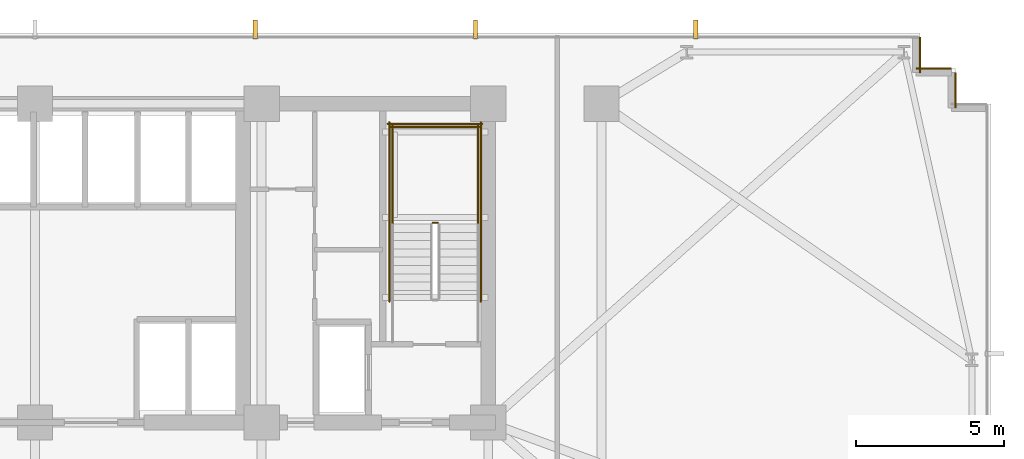
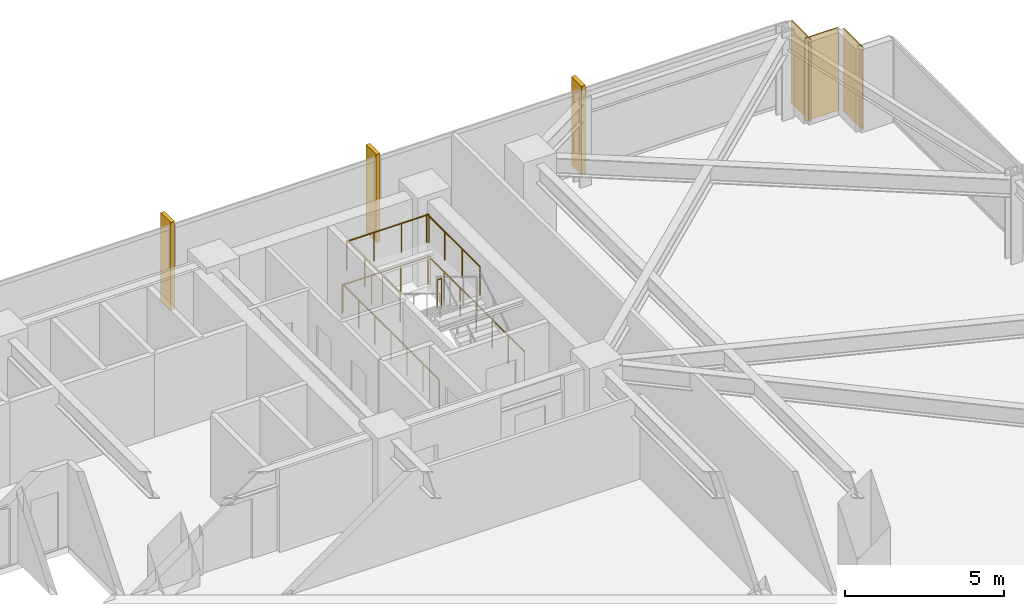
# One storey, part 31 of 32: 7 railings, 3 coverings, 3 shading devices.
"""IFC4 building model written with IfcOpenShell, lengths in metres."""

from ifc_helpers import new_model, si_unit, direction, frame, frame_2d, origin, origin_2d, place, context, subcontext, project, spatial, rectangle, circle, extrude, material, layer, layer_set, type_object, element, save


model = new_model("IFC4")

# Units and contexts
model_context = context("Model", 3, precision=1e-05, world=origin(), true_north=direction((0.0, 1.0)))
body_context = subcontext(model_context, "Body", "Model", "MODEL_VIEW")
ifc_project = project(units=[si_unit("LENGTHUNIT", "METRE"), si_unit("AREAUNIT", "SQUARE_METRE"), si_unit("VOLUMEUNIT", "CUBIC_METRE"), si_unit("PLANEANGLEUNIT", "RADIAN"), si_unit("MASSUNIT", "GRAM", prefix="KILO")], contexts=[model_context])

# Site, building, storey
site_placement = place(None, origin())
site = spatial("IfcSite", under=ifc_project, at=site_placement, CompositionType="ELEMENT")
building_placement = place(site_placement, origin())
building = spatial("IfcBuilding", under=site, at=building_placement, Name="Yelkora Congress Tower", CompositionType="ELEMENT")
storey_placement = place(building_placement, frame((0.0, 0.0, 44.0)))
storey = spatial("IfcBuildingStorey", under=building, at=storey_placement, Name="L10", CompositionType="ELEMENT", Elevation=44.0)

# Coverings
ifc_material_1 = material(Name="Anatolian bush-hammered limestone", Category="masonry")
ifc_layer_1 = layer(ifc_material_1, 0.0400390625)
ifc_layer_set_1 = layer_set([ifc_layer_1], Name="Anatolian bush-hammered limestone")
covering_type = type_object("IfcCoveringType", Name="COV-CLAD-SPANDREL-40", PredefinedType="CLADDING", material=ifc_layer_set_1)
for number, where, z_axis, x_axis, name in (
    (1, (68.39501953125, 48.4599609375, 0.0), (0.0, 0.0, 1.0), (0.0, -1.0, 0.0), "L10 Anatolian Limestone Cladding EW-L10-SR11"),
    (2, (68.260009765625, 47.39501953125, 0.0), (0.0, 0.0, 1.0), (1.0, 0.0, 0.0), "L10 Anatolian Limestone Cladding EW-L10-SR12"),
    (3, (69.594970703125, 47.260009765625, 0.0), (0.0, 0.0, 1.0), (0.0, -1.0, 0.0), "L10 Anatolian Limestone Cladding EW-L10-SR13"),
):
    element("IfcCovering", number, at=place(storey_placement, frame(where, z_axis=z_axis, x_axis=x_axis)), inside=storey, type_object=covering_type, Name=name, PredefinedType="CLADDING", context=body_context, shape_type="SweptSolid", body=[
        extrude(rectangle(XDim=1.199951171875, YDim=0.0400390625, at=frame_2d((0.60009765625, 0.0))), origin(), (0.0, 0.0, 1.0), 3.179931640625),
    ])

# Railings
ifc_material_2 = material(Name="Painted galvanised steel stair well guard with vertical infill", Category="steel")
ifc_layer_2 = layer(ifc_material_2, 0.06005859375)
ifc_layer_set_2 = layer_set([ifc_layer_2], Name="Painted galvanised steel stair well guard with vertical infill")
railing_type = type_object("IfcRailingType", Name="RAIL-STAIR-GUARD-1120", PredefinedType="GUARDRAIL", material=ifc_layer_set_2)
railing_1_placement = place(storey_placement, frame((52.0400390625, 42.169921875, 1.699951171875)))
element("IfcRailing", 4, at=railing_1_placement, inside=storey, type_object=railing_type, Name="ST-02 L10 Stair Well Guardrail 2", PredefinedType="GUARDRAIL", context=body_context, shape_type="SweptSolid", body=[
    extrude(circle(Radius=0.02392578125, at=origin_2d()), frame((0.0, 0.0, 1.09619140625), z_axis=(-1.0, 0.0, 0.0), x_axis=(0.0, -1.0, 0.0)), (0.0, 0.0, 1.0), 0.16015625),
    extrude(circle(Radius=0.02099609375, at=origin_2d()), origin(), (0.0, 0.0, 1.0), 1.072021484375),
    extrude(circle(Radius=0.02099609375, at=origin_2d()), frame((-0.16015625, 0.0, 0.0)), (0.0, 0.0, 1.0), 1.072021484375),
])
for number, where, name in (
    (5, (53.409912109375, 42.1201171875, 1.699951171875), "ST-02 L10 Stair Well Guardrail 3"),
    (6, (50.510009765625, 42.1201171875, 1.699951171875), "ST-02 L10 Stair Well Guardrail 4"),
):
    element("IfcRailing", number, at=place(storey_placement, frame(where)), inside=storey, type_object=railing_type, Name=name, PredefinedType="GUARDRAIL", context=body_context, shape_type="SweptSolid", body=[
        extrude(circle(Radius=0.02392578125, at=origin_2d()), frame((0.0, 0.0, 1.09619140625), z_axis=(0.0, 1.0, 0.0), x_axis=(-1.0, 0.0, 0.0)), (0.0, 0.0, 1.0), 3.349853515625),
        extrude(circle(Radius=0.02099609375, at=origin_2d()), origin(), (0.0, 0.0, 1.0), 1.072021484375),
        extrude(circle(Radius=0.02099609375, at=origin_2d()), frame((0.0, 1.11669921875, 0.0)), (0.0, 0.0, 1.0), 1.072021484375),
        extrude(circle(Radius=0.02099609375, at=origin_2d()), frame((0.0, 2.233154296875, 0.0)), (0.0, 0.0, 1.0), 1.072021484375),
        extrude(circle(Radius=0.02099609375, at=origin_2d()), frame((0.0, 3.349853515625, 0.0)), (0.0, 0.0, 1.0), 1.072021484375),
    ])
railing_2_placement = place(storey_placement, frame((53.4599609375, 45.419921875, 1.699951171875)))
element("IfcRailing", 7, at=railing_2_placement, inside=storey, type_object=railing_type, Name="ST-02 L10 Stair Well Guardrail 5", PredefinedType="GUARDRAIL", context=body_context, shape_type="SweptSolid", body=[
    extrude(circle(Radius=0.02392578125, at=origin_2d()), frame((0.0, 0.0, 1.09619140625), z_axis=(-1.0, 0.0, 0.0), x_axis=(0.0, -1.0, 0.0)), (0.0, 0.0, 1.0), 3.0),
    extrude(circle(Radius=0.02099609375, at=origin_2d()), origin(), (0.0, 0.0, 1.0), 1.072021484375),
    extrude(circle(Radius=0.02099609375, at=origin_2d()), frame((-1.0, 0.0, 0.0)), (0.0, 0.0, 1.0), 1.072021484375),
    extrude(circle(Radius=0.02099609375, at=origin_2d()), frame((-2.0, 0.0, 0.0)), (0.0, 0.0, 1.0), 1.072021484375),
    extrude(circle(Radius=0.02099609375, at=origin_2d()), frame((-3.0, 0.0, 0.0)), (0.0, 0.0, 1.0), 1.072021484375),
])
for number, where, name in (
    (8, (53.510009765625, 39.5, 0.0), "ST-02 L10 Stair Well Guardrail 10"),
    (9, (50.409912109375, 39.5, 0.0), "ST-02 L10 Stair Well Guardrail 11"),
):
    element("IfcRailing", number, at=place(storey_placement, frame(where)), inside=storey, type_object=railing_type, Name=name, PredefinedType="GUARDRAIL", context=body_context, shape_type="SweptSolid", body=[
        extrude(circle(Radius=0.02392578125, at=origin_2d()), frame((0.0, 0.0, 1.09619140625), z_axis=(0.0, 1.0, 0.0), x_axis=(-1.0, 0.0, 0.0)), (0.0, 0.0, 1.0), 6.070068359375),
        extrude(circle(Radius=0.02099609375, at=origin_2d()), origin(), (0.0, 0.0, 1.0), 1.072021484375),
        extrude(circle(Radius=0.02099609375, at=origin_2d()), frame((0.0, 1.01171875, 0.0)), (0.0, 0.0, 1.0), 1.072021484375),
        extrude(circle(Radius=0.02099609375, at=origin_2d()), frame((0.0, 2.0234375, 0.0)), (0.0, 0.0, 1.0), 1.072021484375),
        extrude(circle(Radius=0.02099609375, at=origin_2d()), frame((0.0, 3.03515625, 0.0)), (0.0, 0.0, 1.0), 1.072021484375),
        extrude(circle(Radius=0.02099609375, at=origin_2d()), frame((0.0, 4.046630859375, 0.0)), (0.0, 0.0, 1.0), 1.072021484375),
        extrude(circle(Radius=0.02099609375, at=origin_2d()), frame((0.0, 5.058349609375, 0.0)), (0.0, 0.0, 1.0), 1.072021484375),
        extrude(circle(Radius=0.02099609375, at=origin_2d()), frame((0.0, 6.070068359375, 0.0)), (0.0, 0.0, 1.0), 1.072021484375),
    ])
railing_3_placement = place(storey_placement, frame((53.56005859375, 45.52001953125, 0.0)))
element("IfcRailing", 10, at=railing_3_placement, inside=storey, type_object=railing_type, Name="ST-02 L10 Stair Well Guardrail 12", PredefinedType="GUARDRAIL", context=body_context, shape_type="SweptSolid", body=[
    extrude(circle(Radius=0.02392578125, at=origin_2d()), frame((0.0, 0.0, 1.09619140625), z_axis=(-1.0, 0.0, 0.0), x_axis=(0.0, -1.0, 0.0)), (0.0, 0.0, 1.0), 3.199951171875),
    extrude(circle(Radius=0.02099609375, at=origin_2d()), origin(), (0.0, 0.0, 1.0), 1.072021484375),
    extrude(circle(Radius=0.02099609375, at=origin_2d()), frame((-1.066650390625, 0.0, 0.0)), (0.0, 0.0, 1.0), 1.072021484375),
    extrude(circle(Radius=0.02099609375, at=origin_2d()), frame((-2.13330078125, 0.0, 0.0)), (0.0, 0.0, 1.0), 1.072021484375),
    extrude(circle(Radius=0.02099609375, at=origin_2d()), frame((-3.199951171875, 0.0, 0.0)), (0.0, 0.0, 1.0), 1.072021484375),
])

# Shading devices
ifc_material_3 = material(Name="Champagne anodised aluminium", Category="aluminium")
ifc_layer_3 = layer(ifc_material_3, 3.39990234375)
ifc_layer_set_3 = layer_set([ifc_layer_3], Name="Champagne anodised aluminium")
shading_device_type = type_object("IfcShadingDeviceType", Name="SHD-FIN-ALU-640", PredefinedType="USERDEFINED", material=ifc_layer_set_3)
for number, where, z_axis, x_axis, name in (
    (11, (45.864990234375, 48.719970703125, -0.030029296875), (0.0, 0.0, 1.0), (1.0, 0.0, 0.0), "L10 Vertical Anodised Solar Fin 10-5"),
    (12, (53.330078125, 48.719970703125, -0.030029296875), (0.0, 0.0, 1.0), (1.0, 0.0, 0.0), "L10 Vertical Anodised Solar Fin 10-6"),
    (13, (60.794921875, 48.719970703125, -0.030029296875), (0.0, 0.0, 1.0), (1.0, 0.0, 0.0), "L10 Vertical Anodised Solar Fin 10-7"),
):
    element("IfcShadingDevice", number, at=place(storey_placement, frame(where, z_axis=z_axis, x_axis=x_axis)), inside=storey, type_object=shading_device_type, Name=name, ObjectType="FIN", PredefinedType="USERDEFINED", context=body_context, shape_type="SweptSolid", body=[
        extrude(rectangle(XDim=0.139892578125, YDim=0.639892578125, at=origin_2d()), origin(), (0.0, 0.0, 1.0), 3.3798828125),
    ])

save(model, "model.ifc")
